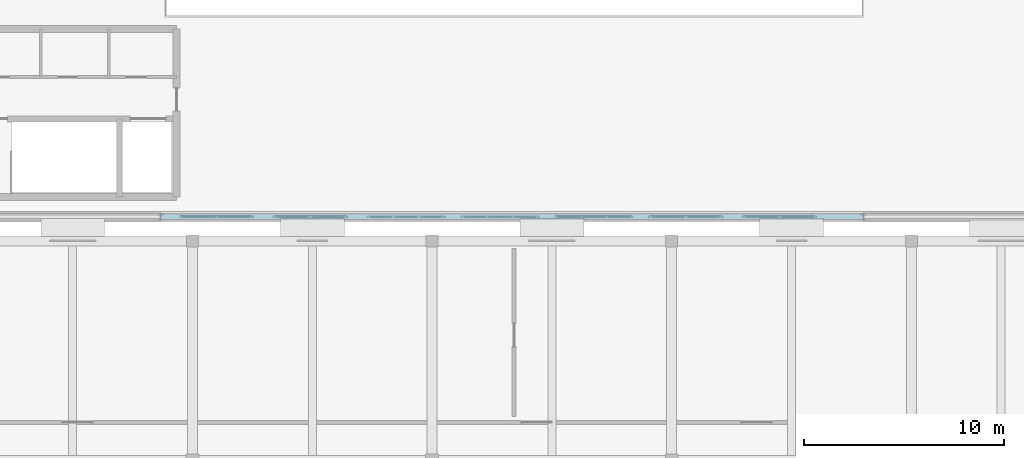
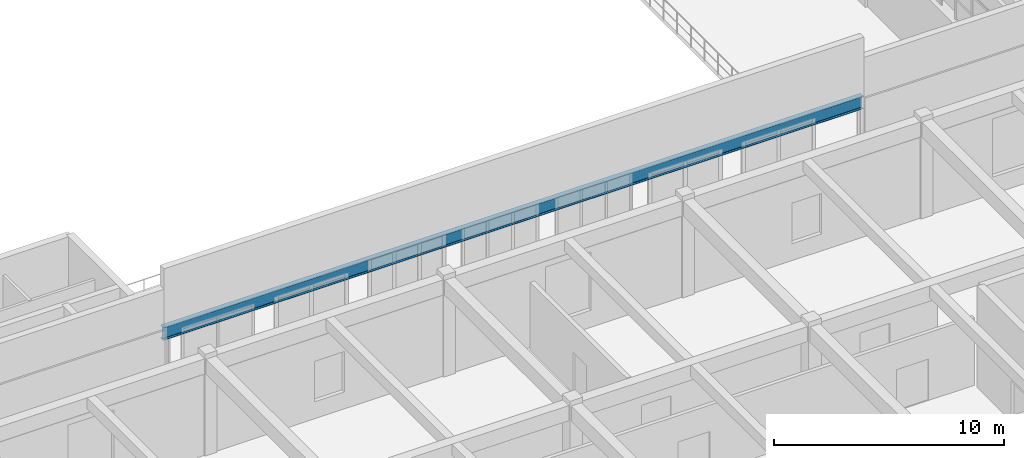
# One storey, part 111 of 197: 1 beam.
"""IFC4 building model written with IfcOpenShell, lengths in metres."""

from ifc_helpers import new_model, si_unit, derived_unit, direction, frame, origin, origin_2d, place, context, subcontext, project, spatial, i_section, extrude, material, material_profile, profile_set, type_object, element, save


model = new_model("IFC4")

# Units and contexts
model_context = context("Model", 3, precision=1e-05, world=origin(), true_north=direction((0.0, 1.0)))
body_context = subcontext(model_context, "Body", "Model", "MODEL_VIEW")
ifc_project = project(units=[si_unit("LENGTHUNIT", "METRE"), si_unit("AREAUNIT", "SQUARE_METRE"), si_unit("VOLUMEUNIT", "CUBIC_METRE"), si_unit("PLANEANGLEUNIT", "RADIAN"), si_unit("MASSUNIT", "GRAM", prefix="KILO"), derived_unit("THERMALTRANSMITTANCEUNIT", [(si_unit("POWERUNIT", "WATT"), 1), (si_unit("LENGTHUNIT", "METRE"), -2), (si_unit("THERMODYNAMICTEMPERATUREUNIT", "KELVIN"), -1)])], contexts=[model_context])

# Site, building, storey
site_placement = place(None, origin())
site = spatial("IfcSite", under=ifc_project, at=site_placement, CompositionType="ELEMENT")
building_placement = place(site_placement, origin())
building = spatial("IfcBuilding", under=site, at=building_placement, Name="Almenara Railside Exhibition Hall", CompositionType="ELEMENT")
storey_placement = place(building_placement, frame((0.0, 0.0, 5.39990234375)))
storey = spatial("IfcBuildingStorey", under=building, at=storey_placement, Name="L01", CompositionType="ELEMENT", Elevation=5.39990234375)

# Beam
ifc_material = material(Name="Structural steel S355JR", Category="steel")
ifc_material_profile = material_profile(ifc_material, i_section(OverallWidth=0.253662109375, OverallDepth=0.68359375, WebThickness=0.012451171875, FlangeThickness=0.01904296875, FilletRadius=0.01513671875, at=origin_2d()), Name="UB 686x254x140")
ifc_profile_set = profile_set([ifc_material_profile], Name="Structural steel S355JR")
beam_type = type_object("IfcBeamType", Name="Steel Heavy Deck Girder UB 686x254x140 S355JR", PredefinedType="USERDEFINED", material=ifc_profile_set)
beam_placement = place(storey_placement, frame((148.39990234375, 34.0, 6.108154296875), z_axis=(1.0, 0.0, 0.0), x_axis=(0.0, 1.0, 0.0)))
element("IfcBeam", 1, at=beam_placement, inside=storey, type_object=beam_type, Name="BM-CRNLNT-V2G2-34", ObjectType="GIRDER", PredefinedType="USERDEFINED", context=body_context, shape_type="SweptSolid", body=[
    extrude(i_section(OverallWidth=0.253662109375, OverallDepth=0.68359375, WebThickness=0.012451171875, FlangeThickness=0.01904296875, FilletRadius=0.01513671875, at=origin_2d()), origin(), (0.0, 0.0, 1.0), 35.2001953125),
])

save(model, "model.ifc")
